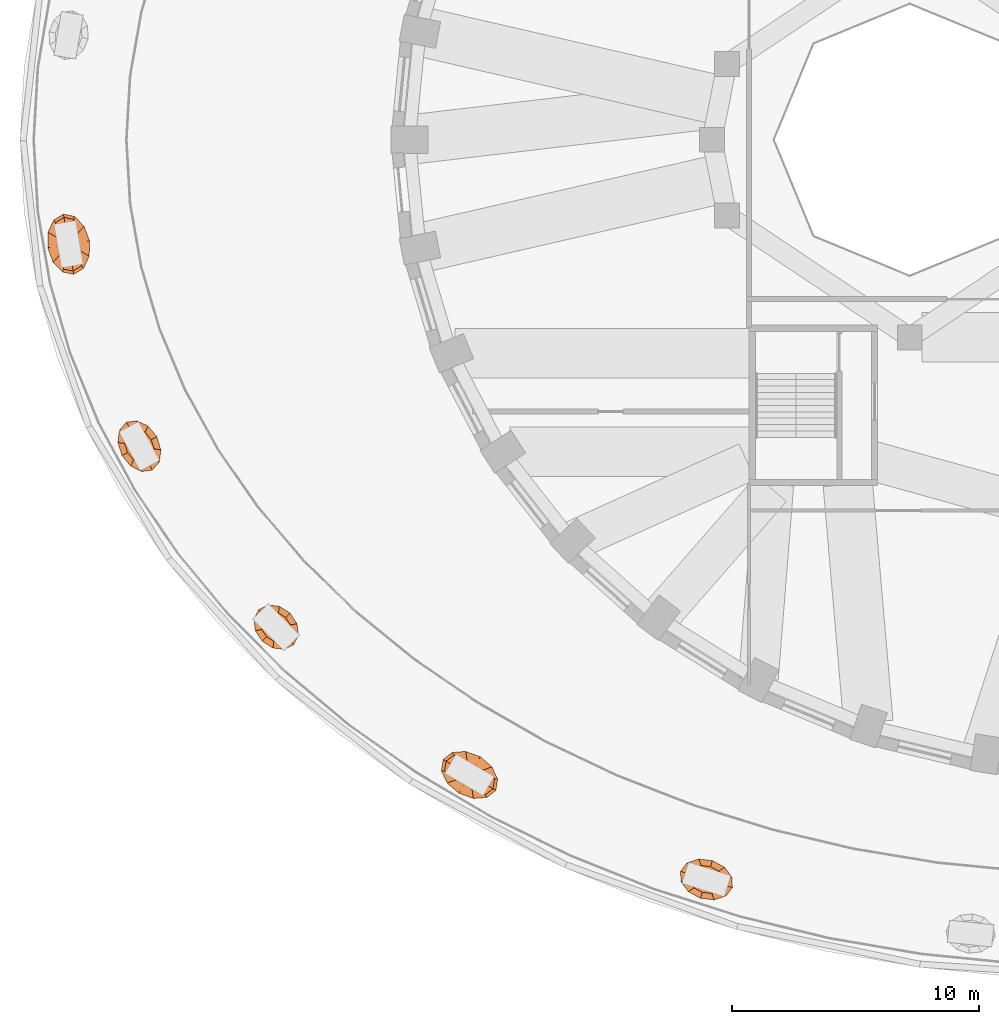
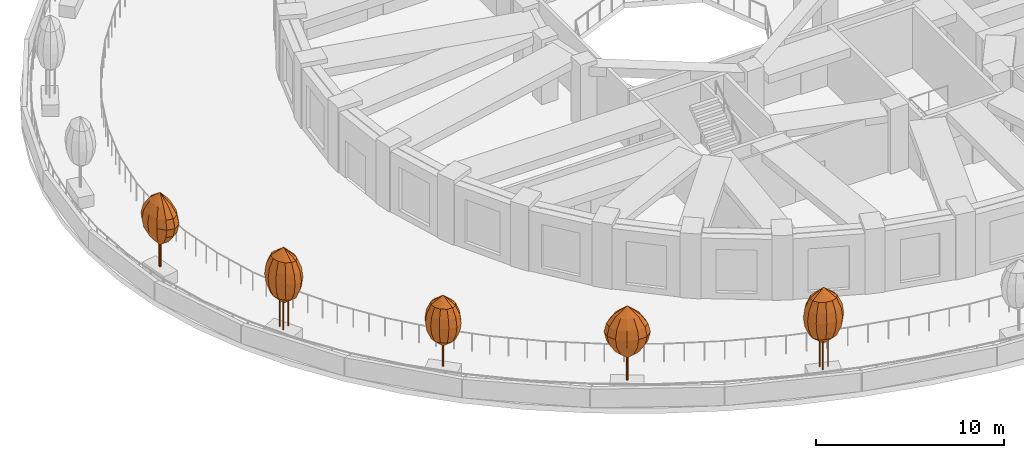
# One storey, part 13 of 17: 5 geographic elements.
"""IFC4 building model written with IfcOpenShell, lengths in metres."""

from ifc_helpers import new_model, si_unit, direction, frame, origin, place, context, subcontext, project, spatial, faceted_brep, material, constituent, constituent_set, type_object, element, save


model = new_model("IFC4")

# Units and contexts
model_context = context("Model", 3, precision=1e-05, world=origin(), true_north=direction((0.0, 1.0)))
body_context = subcontext(model_context, "Body", "Model", "MODEL_VIEW")
ifc_project = project(units=[si_unit("LENGTHUNIT", "METRE"), si_unit("AREAUNIT", "SQUARE_METRE"), si_unit("VOLUMEUNIT", "CUBIC_METRE"), si_unit("PLANEANGLEUNIT", "RADIAN"), si_unit("MASSUNIT", "GRAM", prefix="KILO")], contexts=[model_context])

# Site, building, storey
site_placement = place(None, origin())
site = spatial("IfcSite", under=ifc_project, at=site_placement, CompositionType="ELEMENT")
building_placement = place(site_placement, origin())
building = spatial("IfcBuilding", under=site, at=building_placement, Name="Taillehof Tower", CompositionType="ELEMENT")
storey_placement = place(building_placement, frame((0.0, 0.0, 17.5)))
storey = spatial("IfcBuildingStorey", under=building, at=storey_placement, Name="L03", CompositionType="ELEMENT", Elevation=17.5)

# Geographic elements
ifc_material_1 = material(Name="Tree bark", Category="timber")
ifc_constituent_1 = constituent(ifc_material_1, Name="Trunk", Category="timber")
ifc_material_2 = material(Name="Tree foliage")
ifc_constituent_2 = constituent(ifc_material_2, Name="Crown")
ifc_constituent_set_1 = constituent_set(constituents=[ifc_constituent_1, ifc_constituent_2], Name="Tree TR6 Field maple")
geographic_element_type_1 = type_object("IfcGeographicElementType", Name="Tree TR6 Field maple", PredefinedType="USERDEFINED", material=ifc_constituent_set_1)
geographic_element_1_placement = place(storey_placement, frame((-42.037353515625, -4.22900390625, 0.75)))
element("IfcGeographicElement", 1, at=geographic_element_1_placement, inside=storey, type_object=geographic_element_type_1, Name="Tree TR6 Field maple", ObjectType="TREE", PredefinedType="USERDEFINED", context=body_context, shape_type="Brep", body=[
    faceted_brep([(0.070068359375, 0.0, 0.0), (0.049560546875, 0.049560546875, 0.0), (0.049560546875, 0.049560546875, 2.590087890625), (0.070068359375, 0.0, 2.590087890625), (0.0, 0.070068359375, 0.0), (0.0, 0.070068359375, 2.590087890625), (-0.049560546875, 0.049560546875, 0.0), (-0.049560546875, 0.049560546875, 2.590087890625), (-0.070068359375, 0.0, 0.0), (-0.070068359375, 0.0, 2.590087890625), (-0.049560546875, -0.049560546875, 0.0), (-0.049560546875, -0.049560546875, 2.590087890625), (0.0, -0.070068359375, 0.0), (0.0, -0.070068359375, 2.590087890625), (0.049560546875, -0.049560546875, 0.0), (0.049560546875, -0.049560546875, 2.590087890625)], [[[0, 1, 2, 3]], [[1, 4, 5, 2]], [[4, 6, 7, 5]], [[6, 8, 9, 7]], [[8, 10, 11, 9]], [[10, 12, 13, 11]], [[12, 14, 15, 13]], [[14, 0, 3, 15]], [[14, 12, 10, 8, 6, 4, 1, 0]], [[3, 2, 5, 7, 9, 11, 13, 15]]]),
    faceted_brep([(0.0, 0.0, 1.39990234375), (0.34619140625, -0.563720703125, 1.966552734375), (0.120361328125, -0.698974609375, 1.966552734375), (0.479248046875, -0.27734375, 1.966552734375), (0.48388671875, 0.083251953125, 1.966552734375), (0.35888671875, 0.421630859375, 1.966552734375), (0.1376953125, 0.64697265625, 1.966552734375), (-0.120361328125, 0.698974609375, 1.966552734375), (-0.34619140625, 0.563720703125, 1.966552734375), (-0.479248046875, 0.27734375, 1.966552734375), (-0.48388671875, -0.083251953125, 1.966552734375), (-0.35888671875, -0.421630859375, 1.966552734375), (-0.1376953125, -0.64697265625, 1.966552734375), (0.537353515625, -0.874755859375, 2.533447265625), (0.186767578125, -1.084716796875, 2.533447265625), (0.743896484375, -0.430419921875, 2.533447265625), (0.7509765625, 0.12939453125, 2.533447265625), (0.556884765625, 0.654541015625, 2.533447265625), (0.213623046875, 1.004150390625, 2.533447265625), (-0.186767578125, 1.084716796875, 2.533447265625), (-0.537353515625, 0.874755859375, 2.533447265625), (-0.743896484375, 0.430419921875, 2.533447265625), (-0.7509765625, -0.12939453125, 2.533447265625), (-0.556884765625, -0.654541015625, 2.533447265625), (-0.213623046875, -1.004150390625, 2.533447265625), (0.602783203125, -0.9814453125, 3.10009765625), (0.209716796875, -1.217041015625, 3.10009765625), (0.83447265625, -0.48291015625, 3.10009765625), (0.842529296875, 0.145263671875, 3.10009765625), (0.624755859375, 0.734130859375, 3.10009765625), (0.23974609375, 1.126708984375, 3.10009765625), (-0.209716796875, 1.217041015625, 3.10009765625), (-0.602783203125, 0.9814453125, 3.10009765625), (-0.83447265625, 0.48291015625, 3.10009765625), (-0.842529296875, -0.145263671875, 3.10009765625), (-0.624755859375, -0.734130859375, 3.10009765625), (-0.23974609375, -1.126708984375, 3.10009765625), (0.537353515625, -0.874755859375, 3.666748046875), (0.186767578125, -1.084716796875, 3.666748046875), (0.743896484375, -0.430419921875, 3.666748046875), (0.7509765625, 0.12939453125, 3.666748046875), (0.556884765625, 0.654541015625, 3.666748046875), (0.213623046875, 1.004150390625, 3.666748046875), (-0.186767578125, 1.084716796875, 3.666748046875), (-0.537353515625, 0.874755859375, 3.666748046875), (-0.743896484375, 0.430419921875, 3.666748046875), (-0.7509765625, -0.12939453125, 3.666748046875), (-0.556884765625, -0.654541015625, 3.666748046875), (-0.213623046875, -1.004150390625, 3.666748046875), (0.34619140625, -0.563720703125, 4.2333984375), (0.120361328125, -0.698974609375, 4.2333984375), (0.479248046875, -0.27734375, 4.2333984375), (0.48388671875, 0.083251953125, 4.2333984375), (0.35888671875, 0.421630859375, 4.2333984375), (0.1376953125, 0.64697265625, 4.2333984375), (-0.120361328125, 0.698974609375, 4.2333984375), (-0.34619140625, 0.563720703125, 4.2333984375), (-0.479248046875, 0.27734375, 4.2333984375), (-0.48388671875, -0.083251953125, 4.2333984375), (-0.35888671875, -0.421630859375, 4.2333984375), (-0.1376953125, -0.64697265625, 4.2333984375), (0.0, 0.0, 4.800048828125)], [[[0, 1, 2]], [[0, 3, 1]], [[0, 4, 3]], [[0, 5, 4]], [[0, 6, 5]], [[0, 7, 6]], [[0, 8, 7]], [[0, 9, 8]], [[0, 10, 9]], [[0, 11, 10]], [[0, 12, 11]], [[0, 2, 12]], [[2, 1, 13, 14]], [[1, 3, 15, 13]], [[3, 4, 16, 15]], [[4, 5, 17, 16]], [[5, 6, 18, 17]], [[6, 7, 19, 18]], [[7, 8, 20, 19]], [[8, 9, 21, 20]], [[9, 10, 22, 21]], [[10, 11, 23, 22]], [[11, 12, 24, 23]], [[12, 2, 14, 24]], [[14, 13, 25, 26]], [[13, 15, 27, 25]], [[15, 16, 28, 27]], [[16, 17, 29, 28]], [[17, 18, 30, 29]], [[18, 19, 31, 30]], [[19, 20, 32, 31]], [[20, 21, 33, 32]], [[21, 22, 34, 33]], [[22, 23, 35, 34]], [[23, 24, 36, 35]], [[24, 14, 26, 36]], [[26, 25, 37, 38]], [[25, 27, 39, 37]], [[27, 28, 40, 39]], [[28, 29, 41, 40]], [[29, 30, 42, 41]], [[30, 31, 43, 42]], [[31, 32, 44, 43]], [[32, 33, 45, 44]], [[33, 34, 46, 45]], [[34, 35, 47, 46]], [[35, 36, 48, 47]], [[36, 26, 38, 48]], [[38, 37, 49, 50]], [[37, 39, 51, 49]], [[39, 40, 52, 51]], [[40, 41, 53, 52]], [[41, 42, 54, 53]], [[42, 43, 55, 54]], [[43, 44, 56, 55]], [[44, 45, 57, 56]], [[45, 46, 58, 57]], [[46, 47, 59, 58]], [[47, 48, 60, 59]], [[48, 38, 50, 60]], [[50, 49, 61]], [[49, 51, 61]], [[51, 52, 61]], [[52, 53, 61]], [[53, 54, 61]], [[54, 55, 61]], [[55, 56, 61]], [[56, 57, 61]], [[57, 58, 61]], [[58, 59, 61]], [[59, 60, 61]], [[60, 50, 61]]]),
])
geographic_element_2_placement = place(storey_placement, frame((-25.8115234375, -25.70458984375, 0.75)))
element("IfcGeographicElement", 2, at=geographic_element_2_placement, inside=storey, type_object=geographic_element_type_1, Name="Tree TR6 Field maple", ObjectType="TREE", PredefinedType="USERDEFINED", context=body_context, shape_type="Brep", body=[
    faceted_brep([(0.070068359375, 0.0, 0.0), (0.049560546875, 0.049560546875, 0.0), (0.049560546875, 0.049560546875, 2.590087890625), (0.070068359375, 0.0, 2.590087890625), (0.0, 0.070068359375, 0.0), (0.0, 0.070068359375, 2.590087890625), (-0.049560546875, 0.049560546875, 0.0), (-0.049560546875, 0.049560546875, 2.590087890625), (-0.070068359375, 0.0, 0.0), (-0.070068359375, 0.0, 2.590087890625), (-0.049560546875, -0.049560546875, 0.0), (-0.049560546875, -0.049560546875, 2.590087890625), (0.0, -0.070068359375, 0.0), (0.0, -0.070068359375, 2.590087890625), (0.049560546875, -0.049560546875, 0.0), (0.049560546875, -0.049560546875, 2.590087890625)], [[[0, 1, 2, 3]], [[1, 4, 5, 2]], [[4, 6, 7, 5]], [[6, 8, 9, 7]], [[8, 10, 11, 9]], [[10, 12, 13, 11]], [[12, 14, 15, 13]], [[14, 0, 3, 15]], [[14, 12, 10, 8, 6, 4, 1, 0]], [[3, 2, 5, 7, 9, 11, 13, 15]]]),
    faceted_brep([(0.0, 0.0, 1.39990234375), (0.654052734375, -0.098876953125, 1.966552734375), (0.61181640625, -0.35888671875, 1.966552734375), (0.52099609375, 0.1875, 1.966552734375), (0.248291015625, 0.423583984375, 1.966552734375), (-0.0908203125, 0.546142578125, 1.966552734375), (-0.40576171875, 0.5224609375, 1.966552734375), (-0.61181640625, 0.35888671875, 1.966552734375), (-0.654052734375, 0.098876953125, 1.966552734375), (-0.52099609375, -0.1875, 1.966552734375), (-0.248291015625, -0.423583984375, 1.966552734375), (0.0908203125, -0.546142578125, 1.966552734375), (0.40576171875, -0.5224609375, 1.966552734375), (1.01513671875, -0.153564453125, 2.533447265625), (0.949462890625, -0.556884765625, 2.533447265625), (0.80859375, 0.291015625, 2.533447265625), (0.385498046875, 0.657470703125, 2.533447265625), (-0.140869140625, 0.84765625, 2.533447265625), (-0.629638671875, 0.810791015625, 2.533447265625), (-0.949462890625, 0.556884765625, 2.533447265625), (-1.01513671875, 0.153564453125, 2.533447265625), (-0.80859375, -0.291015625, 2.533447265625), (-0.385498046875, -0.657470703125, 2.533447265625), (0.140869140625, -0.84765625, 2.533447265625), (0.629638671875, -0.810791015625, 2.533447265625), (1.138916015625, -0.172119140625, 3.10009765625), (1.0654296875, -0.624755859375, 3.10009765625), (0.9072265625, 0.326416015625, 3.10009765625), (0.432373046875, 0.737548828125, 3.10009765625), (-0.158203125, 0.951171875, 3.10009765625), (-0.706298828125, 0.90966796875, 3.10009765625), (-1.0654296875, 0.624755859375, 3.10009765625), (-1.138916015625, 0.172119140625, 3.10009765625), (-0.9072265625, -0.326416015625, 3.10009765625), (-0.432373046875, -0.737548828125, 3.10009765625), (0.158203125, -0.951171875, 3.10009765625), (0.706298828125, -0.90966796875, 3.10009765625), (1.01513671875, -0.153564453125, 3.666748046875), (0.949462890625, -0.556884765625, 3.666748046875), (0.80859375, 0.291015625, 3.666748046875), (0.385498046875, 0.657470703125, 3.666748046875), (-0.140869140625, 0.84765625, 3.666748046875), (-0.629638671875, 0.810791015625, 3.666748046875), (-0.949462890625, 0.556884765625, 3.666748046875), (-1.01513671875, 0.153564453125, 3.666748046875), (-0.80859375, -0.291015625, 3.666748046875), (-0.385498046875, -0.657470703125, 3.666748046875), (0.140869140625, -0.84765625, 3.666748046875), (0.629638671875, -0.810791015625, 3.666748046875), (0.654052734375, -0.098876953125, 4.2333984375), (0.61181640625, -0.35888671875, 4.2333984375), (0.52099609375, 0.1875, 4.2333984375), (0.248291015625, 0.423583984375, 4.2333984375), (-0.0908203125, 0.546142578125, 4.2333984375), (-0.40576171875, 0.5224609375, 4.2333984375), (-0.61181640625, 0.35888671875, 4.2333984375), (-0.654052734375, 0.098876953125, 4.2333984375), (-0.52099609375, -0.1875, 4.2333984375), (-0.248291015625, -0.423583984375, 4.2333984375), (0.0908203125, -0.546142578125, 4.2333984375), (0.40576171875, -0.5224609375, 4.2333984375), (0.0, 0.0, 4.800048828125)], [[[0, 1, 2]], [[0, 3, 1]], [[0, 4, 3]], [[0, 5, 4]], [[0, 6, 5]], [[0, 7, 6]], [[0, 8, 7]], [[0, 9, 8]], [[0, 10, 9]], [[0, 11, 10]], [[0, 12, 11]], [[0, 2, 12]], [[2, 1, 13, 14]], [[1, 3, 15, 13]], [[3, 4, 16, 15]], [[4, 5, 17, 16]], [[5, 6, 18, 17]], [[6, 7, 19, 18]], [[7, 8, 20, 19]], [[8, 9, 21, 20]], [[9, 10, 22, 21]], [[10, 11, 23, 22]], [[11, 12, 24, 23]], [[12, 2, 14, 24]], [[14, 13, 25, 26]], [[13, 15, 27, 25]], [[15, 16, 28, 27]], [[16, 17, 29, 28]], [[17, 18, 30, 29]], [[18, 19, 31, 30]], [[19, 20, 32, 31]], [[20, 21, 33, 32]], [[21, 22, 34, 33]], [[22, 23, 35, 34]], [[23, 24, 36, 35]], [[24, 14, 26, 36]], [[26, 25, 37, 38]], [[25, 27, 39, 37]], [[27, 28, 40, 39]], [[28, 29, 41, 40]], [[29, 30, 42, 41]], [[30, 31, 43, 42]], [[31, 32, 44, 43]], [[32, 33, 45, 44]], [[33, 34, 46, 45]], [[34, 35, 47, 46]], [[35, 36, 48, 47]], [[36, 26, 38, 48]], [[38, 37, 49, 50]], [[37, 39, 51, 49]], [[39, 40, 52, 51]], [[40, 41, 53, 52]], [[41, 42, 54, 53]], [[42, 43, 55, 54]], [[43, 44, 56, 55]], [[44, 45, 57, 56]], [[45, 46, 58, 57]], [[46, 47, 59, 58]], [[47, 48, 60, 59]], [[48, 38, 50, 60]], [[50, 49, 61]], [[49, 51, 61]], [[51, 52, 61]], [[52, 53, 61]], [[53, 54, 61]], [[54, 55, 61]], [[55, 56, 61]], [[56, 57, 61]], [[57, 58, 61]], [[58, 59, 61]], [[59, 60, 61]], [[60, 50, 61]]]),
])
ifc_material_3 = material(Name="Tree bark", Category="timber")
ifc_constituent_3 = constituent(ifc_material_3, Name="Trunk", Category="timber")
ifc_material_4 = material(Name="Tree foliage")
ifc_constituent_4 = constituent(ifc_material_4, Name="Crown")
ifc_constituent_set_2 = constituent_set(constituents=[ifc_constituent_3, ifc_constituent_4], Name="Tree TR7 Himalayan birch")
geographic_element_type_2 = type_object("IfcGeographicElementType", Name="Tree TR7 Himalayan birch", PredefinedType="USERDEFINED", material=ifc_constituent_set_2)
geographic_element_3_placement = place(storey_placement, frame((-39.172607421875, -12.39892578125, 0.75)))
element("IfcGeographicElement", 3, at=geographic_element_3_placement, inside=storey, type_object=geographic_element_type_2, Name="Tree TR7 Himalayan birch", ObjectType="TREE", PredefinedType="USERDEFINED", context=body_context, shape_type="Brep", body=[
    faceted_brep([(0.3134765625, 0.0, 0.0), (0.30224609375, 0.027099609375, 0.0), (0.30224609375, 0.027099609375, 2.833984375), (0.3134765625, 0.0, 2.833984375), (0.27490234375, 0.03857421875, 0.0), (0.27490234375, 0.03857421875, 2.833984375), (0.247802734375, 0.027099609375, 0.0), (0.247802734375, 0.027099609375, 2.833984375), (0.236572265625, 0.0, 0.0), (0.236572265625, 0.0, 2.833984375), (0.247802734375, -0.027099609375, 0.0), (0.247802734375, -0.027099609375, 2.833984375), (0.27490234375, -0.03857421875, 0.0), (0.27490234375, -0.03857421875, 2.833984375), (0.30224609375, -0.027099609375, 0.0), (0.30224609375, -0.027099609375, 2.833984375)], [[[0, 1, 2, 3]], [[1, 4, 5, 2]], [[4, 6, 7, 5]], [[6, 8, 9, 7]], [[8, 10, 11, 9]], [[10, 12, 13, 11]], [[12, 14, 15, 13]], [[14, 0, 3, 15]], [[14, 12, 10, 8, 6, 4, 1, 0]], [[3, 2, 5, 7, 9, 11, 13, 15]]]),
    faceted_brep([(-0.09912109375, 0.173095703125, 0.0), (-0.1103515625, 0.200439453125, 0.0), (-0.1103515625, 0.200439453125, 2.833984375), (-0.09912109375, 0.173095703125, 2.833984375), (-0.137451171875, 0.211669921875, 0.0), (-0.137451171875, 0.211669921875, 2.833984375), (-0.164794921875, 0.200439453125, 0.0), (-0.164794921875, 0.200439453125, 2.833984375), (-0.176025390625, 0.173095703125, 0.0), (-0.176025390625, 0.173095703125, 2.833984375), (-0.164794921875, 0.14599609375, 0.0), (-0.164794921875, 0.14599609375, 2.833984375), (-0.137451171875, 0.134765625, 0.0), (-0.137451171875, 0.134765625, 2.833984375), (-0.1103515625, 0.14599609375, 0.0), (-0.1103515625, 0.14599609375, 2.833984375)], [[[0, 1, 2, 3]], [[1, 4, 5, 2]], [[4, 6, 7, 5]], [[6, 8, 9, 7]], [[8, 10, 11, 9]], [[10, 12, 13, 11]], [[12, 14, 15, 13]], [[14, 0, 3, 15]], [[14, 12, 10, 8, 6, 4, 1, 0]], [[3, 2, 5, 7, 9, 11, 13, 15]]]),
    faceted_brep([(-0.09912109375, -0.173095703125, 0.0), (-0.1103515625, -0.14599609375, 0.0), (-0.1103515625, -0.14599609375, 2.833984375), (-0.09912109375, -0.173095703125, 2.833984375), (-0.137451171875, -0.134765625, 0.0), (-0.137451171875, -0.134765625, 2.833984375), (-0.164794921875, -0.14599609375, 0.0), (-0.164794921875, -0.14599609375, 2.833984375), (-0.176025390625, -0.173095703125, 0.0), (-0.176025390625, -0.173095703125, 2.833984375), (-0.164794921875, -0.200439453125, 0.0), (-0.164794921875, -0.200439453125, 2.833984375), (-0.137451171875, -0.211669921875, 0.0), (-0.137451171875, -0.211669921875, 2.833984375), (-0.1103515625, -0.200439453125, 0.0), (-0.1103515625, -0.200439453125, 2.833984375)], [[[0, 1, 2, 3]], [[1, 4, 5, 2]], [[4, 6, 7, 5]], [[6, 8, 9, 7]], [[8, 10, 11, 9]], [[10, 12, 13, 11]], [[12, 14, 15, 13]], [[14, 0, 3, 15]], [[14, 12, 10, 8, 6, 4, 1, 0]], [[3, 2, 5, 7, 9, 11, 13, 15]]]),
    faceted_brep([(0.0, 0.0, 1.56005859375), (0.55029296875, -0.44189453125, 2.166748046875), (0.358154296875, -0.66064453125, 2.166748046875), (0.594970703125, -0.104736328125, 2.166748046875), (0.48046875, 0.260498046875, 2.166748046875), (0.237060546875, 0.5556640625, 2.166748046875), (-0.06982421875, 0.7021484375, 2.166748046875), (-0.358154296875, 0.66064453125, 2.166748046875), (-0.55029296875, 0.44189453125, 2.166748046875), (-0.594970703125, 0.104736328125, 2.166748046875), (-0.48046875, -0.260498046875, 2.166748046875), (-0.237060546875, -0.5556640625, 2.166748046875), (0.06982421875, -0.7021484375, 2.166748046875), (0.744384765625, -0.59765625, 2.7734375), (0.484375, -0.8935546875, 2.7734375), (0.804931640625, -0.1416015625, 2.7734375), (0.64990234375, 0.352294921875, 2.7734375), (0.320556640625, 0.751708984375, 2.7734375), (-0.094482421875, 0.949951171875, 2.7734375), (-0.484375, 0.8935546875, 2.7734375), (-0.744384765625, 0.59765625, 2.7734375), (-0.804931640625, 0.1416015625, 2.7734375), (-0.64990234375, -0.352294921875, 2.7734375), (-0.320556640625, -0.751708984375, 2.7734375), (0.094482421875, -0.949951171875, 2.7734375), (0.8056640625, -0.64697265625, 3.3798828125), (0.524169921875, -0.967041015625, 3.3798828125), (0.87109375, -0.1533203125, 3.3798828125), (0.703369140625, 0.38134765625, 3.3798828125), (0.346923828125, 0.813720703125, 3.3798828125), (-0.102294921875, 1.028076171875, 3.3798828125), (-0.524169921875, 0.967041015625, 3.3798828125), (-0.8056640625, 0.64697265625, 3.3798828125), (-0.87109375, 0.1533203125, 3.3798828125), (-0.703369140625, -0.38134765625, 3.3798828125), (-0.346923828125, -0.813720703125, 3.3798828125), (0.102294921875, -1.028076171875, 3.3798828125), (0.744384765625, -0.59765625, 3.986572265625), (0.484375, -0.8935546875, 3.986572265625), (0.804931640625, -0.1416015625, 3.986572265625), (0.64990234375, 0.352294921875, 3.986572265625), (0.320556640625, 0.751708984375, 3.986572265625), (-0.094482421875, 0.949951171875, 3.986572265625), (-0.484375, 0.8935546875, 3.986572265625), (-0.744384765625, 0.59765625, 3.986572265625), (-0.804931640625, 0.1416015625, 3.986572265625), (-0.64990234375, -0.352294921875, 3.986572265625), (-0.320556640625, -0.751708984375, 3.986572265625), (0.094482421875, -0.949951171875, 3.986572265625), (0.55029296875, -0.44189453125, 4.59326171875), (0.358154296875, -0.66064453125, 4.59326171875), (0.594970703125, -0.104736328125, 4.59326171875), (0.48046875, 0.260498046875, 4.59326171875), (0.237060546875, 0.5556640625, 4.59326171875), (-0.06982421875, 0.7021484375, 4.59326171875), (-0.358154296875, 0.66064453125, 4.59326171875), (-0.55029296875, 0.44189453125, 4.59326171875), (-0.594970703125, 0.104736328125, 4.59326171875), (-0.48046875, -0.260498046875, 4.59326171875), (-0.237060546875, -0.5556640625, 4.59326171875), (0.06982421875, -0.7021484375, 4.59326171875), (0.0, 0.0, 5.199951171875)], [[[0, 1, 2]], [[0, 3, 1]], [[0, 4, 3]], [[0, 5, 4]], [[0, 6, 5]], [[0, 7, 6]], [[0, 8, 7]], [[0, 9, 8]], [[0, 10, 9]], [[0, 11, 10]], [[0, 12, 11]], [[0, 2, 12]], [[2, 1, 13, 14]], [[1, 3, 15, 13]], [[3, 4, 16, 15]], [[4, 5, 17, 16]], [[5, 6, 18, 17]], [[6, 7, 19, 18]], [[7, 8, 20, 19]], [[8, 9, 21, 20]], [[9, 10, 22, 21]], [[10, 11, 23, 22]], [[11, 12, 24, 23]], [[12, 2, 14, 24]], [[14, 13, 25, 26]], [[13, 15, 27, 25]], [[15, 16, 28, 27]], [[16, 17, 29, 28]], [[17, 18, 30, 29]], [[18, 19, 31, 30]], [[19, 20, 32, 31]], [[20, 21, 33, 32]], [[21, 22, 34, 33]], [[22, 23, 35, 34]], [[23, 24, 36, 35]], [[24, 14, 26, 36]], [[26, 25, 37, 38]], [[25, 27, 39, 37]], [[27, 28, 40, 39]], [[28, 29, 41, 40]], [[29, 30, 42, 41]], [[30, 31, 43, 42]], [[31, 32, 44, 43]], [[32, 33, 45, 44]], [[33, 34, 46, 45]], [[34, 35, 47, 46]], [[35, 36, 48, 47]], [[36, 26, 38, 48]], [[38, 37, 49, 50]], [[37, 39, 51, 49]], [[39, 40, 52, 51]], [[40, 41, 53, 52]], [[41, 42, 54, 53]], [[42, 43, 55, 54]], [[43, 44, 56, 55]], [[44, 45, 57, 56]], [[45, 46, 58, 57]], [[46, 47, 59, 58]], [[47, 48, 60, 59]], [[48, 38, 50, 60]], [[50, 49, 61]], [[49, 51, 61]], [[51, 52, 61]], [[52, 53, 61]], [[53, 54, 61]], [[54, 55, 61]], [[55, 56, 61]], [[56, 57, 61]], [[57, 58, 61]], [[58, 59, 61]], [[59, 60, 61]], [[60, 50, 61]]]),
])
geographic_element_4_placement = place(storey_placement, frame((-16.225830078125, -29.93359375, 0.75)))
element("IfcGeographicElement", 4, at=geographic_element_4_placement, inside=storey, type_object=geographic_element_type_2, Name="Tree TR7 Himalayan birch", ObjectType="TREE", PredefinedType="USERDEFINED", context=body_context, shape_type="Brep", body=[
    faceted_brep([(0.3134765625, 0.0, 0.0), (0.30224609375, 0.027099609375, 0.0), (0.30224609375, 0.027099609375, 2.833984375), (0.3134765625, 0.0, 2.833984375), (0.27490234375, 0.03857421875, 0.0), (0.27490234375, 0.03857421875, 2.833984375), (0.247802734375, 0.027099609375, 0.0), (0.247802734375, 0.027099609375, 2.833984375), (0.236572265625, 0.0, 0.0), (0.236572265625, 0.0, 2.833984375), (0.247802734375, -0.027099609375, 0.0), (0.247802734375, -0.027099609375, 2.833984375), (0.27490234375, -0.03857421875, 0.0), (0.27490234375, -0.03857421875, 2.833984375), (0.30224609375, -0.027099609375, 0.0), (0.30224609375, -0.027099609375, 2.833984375)], [[[0, 1, 2, 3]], [[1, 4, 5, 2]], [[4, 6, 7, 5]], [[6, 8, 9, 7]], [[8, 10, 11, 9]], [[10, 12, 13, 11]], [[12, 14, 15, 13]], [[14, 0, 3, 15]], [[14, 12, 10, 8, 6, 4, 1, 0]], [[3, 2, 5, 7, 9, 11, 13, 15]]]),
    faceted_brep([(-0.09912109375, 0.173095703125, 0.0), (-0.1103515625, 0.200439453125, 0.0), (-0.1103515625, 0.200439453125, 2.833984375), (-0.09912109375, 0.173095703125, 2.833984375), (-0.137451171875, 0.211669921875, 0.0), (-0.137451171875, 0.211669921875, 2.833984375), (-0.164794921875, 0.200439453125, 0.0), (-0.164794921875, 0.200439453125, 2.833984375), (-0.176025390625, 0.173095703125, 0.0), (-0.176025390625, 0.173095703125, 2.833984375), (-0.164794921875, 0.14599609375, 0.0), (-0.164794921875, 0.14599609375, 2.833984375), (-0.137451171875, 0.134765625, 0.0), (-0.137451171875, 0.134765625, 2.833984375), (-0.1103515625, 0.14599609375, 0.0), (-0.1103515625, 0.14599609375, 2.833984375)], [[[0, 1, 2, 3]], [[1, 4, 5, 2]], [[4, 6, 7, 5]], [[6, 8, 9, 7]], [[8, 10, 11, 9]], [[10, 12, 13, 11]], [[12, 14, 15, 13]], [[14, 0, 3, 15]], [[14, 12, 10, 8, 6, 4, 1, 0]], [[3, 2, 5, 7, 9, 11, 13, 15]]]),
    faceted_brep([(-0.09912109375, -0.173095703125, 0.0), (-0.1103515625, -0.14599609375, 0.0), (-0.1103515625, -0.14599609375, 2.833984375), (-0.09912109375, -0.173095703125, 2.833984375), (-0.137451171875, -0.134765625, 0.0), (-0.137451171875, -0.134765625, 2.833984375), (-0.164794921875, -0.14599609375, 0.0), (-0.164794921875, -0.14599609375, 2.833984375), (-0.176025390625, -0.173095703125, 0.0), (-0.176025390625, -0.173095703125, 2.833984375), (-0.164794921875, -0.200439453125, 0.0), (-0.164794921875, -0.200439453125, 2.833984375), (-0.137451171875, -0.211669921875, 0.0), (-0.137451171875, -0.211669921875, 2.833984375), (-0.1103515625, -0.200439453125, 0.0), (-0.1103515625, -0.200439453125, 2.833984375)], [[[0, 1, 2, 3]], [[1, 4, 5, 2]], [[4, 6, 7, 5]], [[6, 8, 9, 7]], [[8, 10, 11, 9]], [[10, 12, 13, 11]], [[12, 14, 15, 13]], [[14, 0, 3, 15]], [[14, 12, 10, 8, 6, 4, 1, 0]], [[3, 2, 5, 7, 9, 11, 13, 15]]]),
    faceted_brep([(0.0, 0.0, 1.56005859375), (0.702880859375, 0.064208984375, 2.166748046875), (0.71630859375, -0.226806640625, 2.166748046875), (0.5009765625, 0.337890625, 2.166748046875), (0.164794921875, 0.52099609375, 2.166748046875), (-0.21533203125, 0.564453125, 2.166748046875), (-0.537841796875, 0.456787109375, 2.166748046875), (-0.71630859375, 0.226806640625, 2.166748046875), (-0.702880859375, -0.064208984375, 2.166748046875), (-0.5009765625, -0.337890625, 2.166748046875), (-0.164794921875, -0.52099609375, 2.166748046875), (0.21533203125, -0.564453125, 2.166748046875), (0.537841796875, -0.456787109375, 2.166748046875), (0.95068359375, 0.086669921875, 2.7734375), (0.968994140625, -0.306640625, 2.7734375), (0.677734375, 0.45703125, 2.7734375), (0.22314453125, 0.70458984375, 2.7734375), (-0.291259765625, 0.763671875, 2.7734375), (-0.7275390625, 0.617919921875, 2.7734375), (-0.968994140625, 0.306640625, 2.7734375), (-0.95068359375, -0.086669921875, 2.7734375), (-0.677734375, -0.45703125, 2.7734375), (-0.22314453125, -0.70458984375, 2.7734375), (0.291259765625, -0.763671875, 2.7734375), (0.7275390625, -0.617919921875, 2.7734375), (1.02880859375, 0.093994140625, 3.3798828125), (1.048828125, -0.33203125, 3.3798828125), (0.7333984375, 0.49462890625, 3.3798828125), (0.241455078125, 0.7626953125, 3.3798828125), (-0.315185546875, 0.826416015625, 3.3798828125), (-0.78759765625, 0.6689453125, 3.3798828125), (-1.048828125, 0.33203125, 3.3798828125), (-1.02880859375, -0.093994140625, 3.3798828125), (-0.7333984375, -0.49462890625, 3.3798828125), (-0.241455078125, -0.7626953125, 3.3798828125), (0.315185546875, -0.826416015625, 3.3798828125), (0.78759765625, -0.6689453125, 3.3798828125), (0.95068359375, 0.086669921875, 3.986572265625), (0.968994140625, -0.306640625, 3.986572265625), (0.677734375, 0.45703125, 3.986572265625), (0.22314453125, 0.70458984375, 3.986572265625), (-0.291259765625, 0.763671875, 3.986572265625), (-0.7275390625, 0.617919921875, 3.986572265625), (-0.968994140625, 0.306640625, 3.986572265625), (-0.95068359375, -0.086669921875, 3.986572265625), (-0.677734375, -0.45703125, 3.986572265625), (-0.22314453125, -0.70458984375, 3.986572265625), (0.291259765625, -0.763671875, 3.986572265625), (0.7275390625, -0.617919921875, 3.986572265625), (0.702880859375, 0.064208984375, 4.59326171875), (0.71630859375, -0.226806640625, 4.59326171875), (0.5009765625, 0.337890625, 4.59326171875), (0.164794921875, 0.52099609375, 4.59326171875), (-0.21533203125, 0.564453125, 4.59326171875), (-0.537841796875, 0.456787109375, 4.59326171875), (-0.71630859375, 0.226806640625, 4.59326171875), (-0.702880859375, -0.064208984375, 4.59326171875), (-0.5009765625, -0.337890625, 4.59326171875), (-0.164794921875, -0.52099609375, 4.59326171875), (0.21533203125, -0.564453125, 4.59326171875), (0.537841796875, -0.456787109375, 4.59326171875), (0.0, 0.0, 5.199951171875)], [[[0, 1, 2]], [[0, 3, 1]], [[0, 4, 3]], [[0, 5, 4]], [[0, 6, 5]], [[0, 7, 6]], [[0, 8, 7]], [[0, 9, 8]], [[0, 10, 9]], [[0, 11, 10]], [[0, 12, 11]], [[0, 2, 12]], [[2, 1, 13, 14]], [[1, 3, 15, 13]], [[3, 4, 16, 15]], [[4, 5, 17, 16]], [[5, 6, 18, 17]], [[6, 7, 19, 18]], [[7, 8, 20, 19]], [[8, 9, 21, 20]], [[9, 10, 22, 21]], [[10, 11, 23, 22]], [[11, 12, 24, 23]], [[12, 2, 14, 24]], [[14, 13, 25, 26]], [[13, 15, 27, 25]], [[15, 16, 28, 27]], [[16, 17, 29, 28]], [[17, 18, 30, 29]], [[18, 19, 31, 30]], [[19, 20, 32, 31]], [[20, 21, 33, 32]], [[21, 22, 34, 33]], [[22, 23, 35, 34]], [[23, 24, 36, 35]], [[24, 14, 26, 36]], [[26, 25, 37, 38]], [[25, 27, 39, 37]], [[27, 28, 40, 39]], [[28, 29, 41, 40]], [[29, 30, 42, 41]], [[30, 31, 43, 42]], [[31, 32, 44, 43]], [[32, 33, 45, 44]], [[33, 34, 46, 45]], [[34, 35, 47, 46]], [[35, 36, 48, 47]], [[36, 26, 38, 48]], [[38, 37, 49, 50]], [[37, 39, 51, 49]], [[39, 40, 52, 51]], [[40, 41, 53, 52]], [[41, 42, 54, 53]], [[42, 43, 55, 54]], [[43, 44, 56, 55]], [[44, 45, 57, 56]], [[45, 46, 58, 57]], [[46, 47, 59, 58]], [[47, 48, 60, 59]], [[48, 38, 50, 60]], [[50, 49, 61]], [[49, 51, 61]], [[51, 52, 61]], [[52, 53, 61]], [[53, 54, 61]], [[54, 55, 61]], [[55, 56, 61]], [[56, 57, 61]], [[57, 58, 61]], [[58, 59, 61]], [[59, 60, 61]], [[60, 50, 61]]]),
])
ifc_material_5 = material(Name="Tree bark", Category="timber")
ifc_constituent_5 = constituent(ifc_material_5, Name="Trunk", Category="timber")
ifc_material_6 = material(Name="Tree foliage")
ifc_constituent_6 = constituent(ifc_material_6, Name="Crown")
ifc_constituent_set_3 = constituent_set(constituents=[ifc_constituent_5, ifc_constituent_6], Name="Tree TR8 Persian ironwood")
geographic_element_type_3 = type_object("IfcGeographicElementType", Name="Tree TR8 Persian ironwood", PredefinedType="USERDEFINED", material=ifc_constituent_set_3)
geographic_element_5_placement = place(storey_placement, frame((-33.63818359375, -19.723876953125, 0.75)))
element("IfcGeographicElement", 5, at=geographic_element_5_placement, inside=storey, type_object=geographic_element_type_3, Name="Tree TR8 Persian ironwood", ObjectType="TREE", PredefinedType="USERDEFINED", context=body_context, shape_type="Brep", body=[
    faceted_brep([(0.06005859375, 0.0, 0.0), (0.04248046875, 0.04248046875, 0.0), (0.04248046875, 0.04248046875, 2.455078125), (0.06005859375, 0.0, 2.455078125), (0.0, 0.06005859375, 0.0), (0.0, 0.06005859375, 2.455078125), (-0.04248046875, 0.04248046875, 0.0), (-0.04248046875, 0.04248046875, 2.455078125), (-0.06005859375, 0.0, 0.0), (-0.06005859375, 0.0, 2.455078125), (-0.04248046875, -0.04248046875, 0.0), (-0.04248046875, -0.04248046875, 2.455078125), (0.0, -0.06005859375, 0.0), (0.0, -0.06005859375, 2.455078125), (0.04248046875, -0.04248046875, 0.0), (0.04248046875, -0.04248046875, 2.455078125)], [[[0, 1, 2, 3]], [[1, 4, 5, 2]], [[4, 6, 7, 5]], [[6, 8, 9, 7]], [[8, 10, 11, 9]], [[10, 12, 13, 11]], [[12, 14, 15, 13]], [[14, 0, 3, 15]], [[14, 12, 10, 8, 6, 4, 1, 0]], [[3, 2, 5, 7, 9, 11, 13, 15]]]),
    faceted_brep([(0.0, 0.0, 1.300048828125), (0.61181640625, -0.223876953125, 1.85009765625), (0.48388671875, -0.48193359375, 1.85009765625), (0.575927734375, 0.09423828125, 1.85009765625), (0.385498046875, 0.38720703125, 1.85009765625), (0.092041015625, 0.576171875, 1.85009765625), (-0.226318359375, 0.611083984375, 1.85009765625), (-0.48388671875, 0.48193359375, 1.85009765625), (-0.61181640625, 0.223876953125, 1.85009765625), (-0.575927734375, -0.09423828125, 1.85009765625), (-0.385498046875, -0.38720703125, 1.85009765625), (-0.092041015625, -0.576171875, 1.85009765625), (0.226318359375, -0.611083984375, 1.85009765625), (0.82763671875, -0.302734375, 2.39990234375), (0.65478515625, -0.65185546875, 2.39990234375), (0.779052734375, 0.127685546875, 2.39990234375), (0.521484375, 0.523681640625, 2.39990234375), (0.124267578125, 0.779541015625, 2.39990234375), (-0.30615234375, 0.826416015625, 2.39990234375), (-0.65478515625, 0.65185546875, 2.39990234375), (-0.82763671875, 0.302734375, 2.39990234375), (-0.779052734375, -0.127685546875, 2.39990234375), (-0.521484375, -0.523681640625, 2.39990234375), (-0.124267578125, -0.779541015625, 2.39990234375), (0.30615234375, -0.826416015625, 2.39990234375), (0.89599609375, -0.32763671875, 2.949951171875), (0.70849609375, -0.70556640625, 2.949951171875), (0.84326171875, 0.13818359375, 2.949951171875), (0.564453125, 0.56689453125, 2.949951171875), (0.134521484375, 0.84375, 2.949951171875), (-0.331298828125, 0.89453125, 2.949951171875), (-0.70849609375, 0.70556640625, 2.949951171875), (-0.89599609375, 0.32763671875, 2.949951171875), (-0.84326171875, -0.13818359375, 2.949951171875), (-0.564453125, -0.56689453125, 2.949951171875), (-0.134521484375, -0.84375, 2.949951171875), (0.331298828125, -0.89453125, 2.949951171875), (0.82763671875, -0.302734375, 3.5), (0.65478515625, -0.65185546875, 3.5), (0.779052734375, 0.127685546875, 3.5), (0.521484375, 0.523681640625, 3.5), (0.124267578125, 0.779541015625, 3.5), (-0.30615234375, 0.826416015625, 3.5), (-0.65478515625, 0.65185546875, 3.5), (-0.82763671875, 0.302734375, 3.5), (-0.779052734375, -0.127685546875, 3.5), (-0.521484375, -0.523681640625, 3.5), (-0.124267578125, -0.779541015625, 3.5), (0.30615234375, -0.826416015625, 3.5), (0.61181640625, -0.223876953125, 4.050048828125), (0.48388671875, -0.48193359375, 4.050048828125), (0.575927734375, 0.09423828125, 4.050048828125), (0.385498046875, 0.38720703125, 4.050048828125), (0.092041015625, 0.576171875, 4.050048828125), (-0.226318359375, 0.611083984375, 4.050048828125), (-0.48388671875, 0.48193359375, 4.050048828125), (-0.61181640625, 0.223876953125, 4.050048828125), (-0.575927734375, -0.09423828125, 4.050048828125), (-0.385498046875, -0.38720703125, 4.050048828125), (-0.092041015625, -0.576171875, 4.050048828125), (0.226318359375, -0.611083984375, 4.050048828125), (0.0, 0.0, 4.60009765625)], [[[0, 1, 2]], [[0, 3, 1]], [[0, 4, 3]], [[0, 5, 4]], [[0, 6, 5]], [[0, 7, 6]], [[0, 8, 7]], [[0, 9, 8]], [[0, 10, 9]], [[0, 11, 10]], [[0, 12, 11]], [[0, 2, 12]], [[2, 1, 13, 14]], [[1, 3, 15, 13]], [[3, 4, 16, 15]], [[4, 5, 17, 16]], [[5, 6, 18, 17]], [[6, 7, 19, 18]], [[7, 8, 20, 19]], [[8, 9, 21, 20]], [[9, 10, 22, 21]], [[10, 11, 23, 22]], [[11, 12, 24, 23]], [[12, 2, 14, 24]], [[14, 13, 25, 26]], [[13, 15, 27, 25]], [[15, 16, 28, 27]], [[16, 17, 29, 28]], [[17, 18, 30, 29]], [[18, 19, 31, 30]], [[19, 20, 32, 31]], [[20, 21, 33, 32]], [[21, 22, 34, 33]], [[22, 23, 35, 34]], [[23, 24, 36, 35]], [[24, 14, 26, 36]], [[26, 25, 37, 38]], [[25, 27, 39, 37]], [[27, 28, 40, 39]], [[28, 29, 41, 40]], [[29, 30, 42, 41]], [[30, 31, 43, 42]], [[31, 32, 44, 43]], [[32, 33, 45, 44]], [[33, 34, 46, 45]], [[34, 35, 47, 46]], [[35, 36, 48, 47]], [[36, 26, 38, 48]], [[38, 37, 49, 50]], [[37, 39, 51, 49]], [[39, 40, 52, 51]], [[40, 41, 53, 52]], [[41, 42, 54, 53]], [[42, 43, 55, 54]], [[43, 44, 56, 55]], [[44, 45, 57, 56]], [[45, 46, 58, 57]], [[46, 47, 59, 58]], [[47, 48, 60, 59]], [[48, 38, 50, 60]], [[50, 49, 61]], [[49, 51, 61]], [[51, 52, 61]], [[52, 53, 61]], [[53, 54, 61]], [[54, 55, 61]], [[55, 56, 61]], [[56, 57, 61]], [[57, 58, 61]], [[58, 59, 61]], [[59, 60, 61]], [[60, 50, 61]]]),
])

save(model, "model.ifc")
